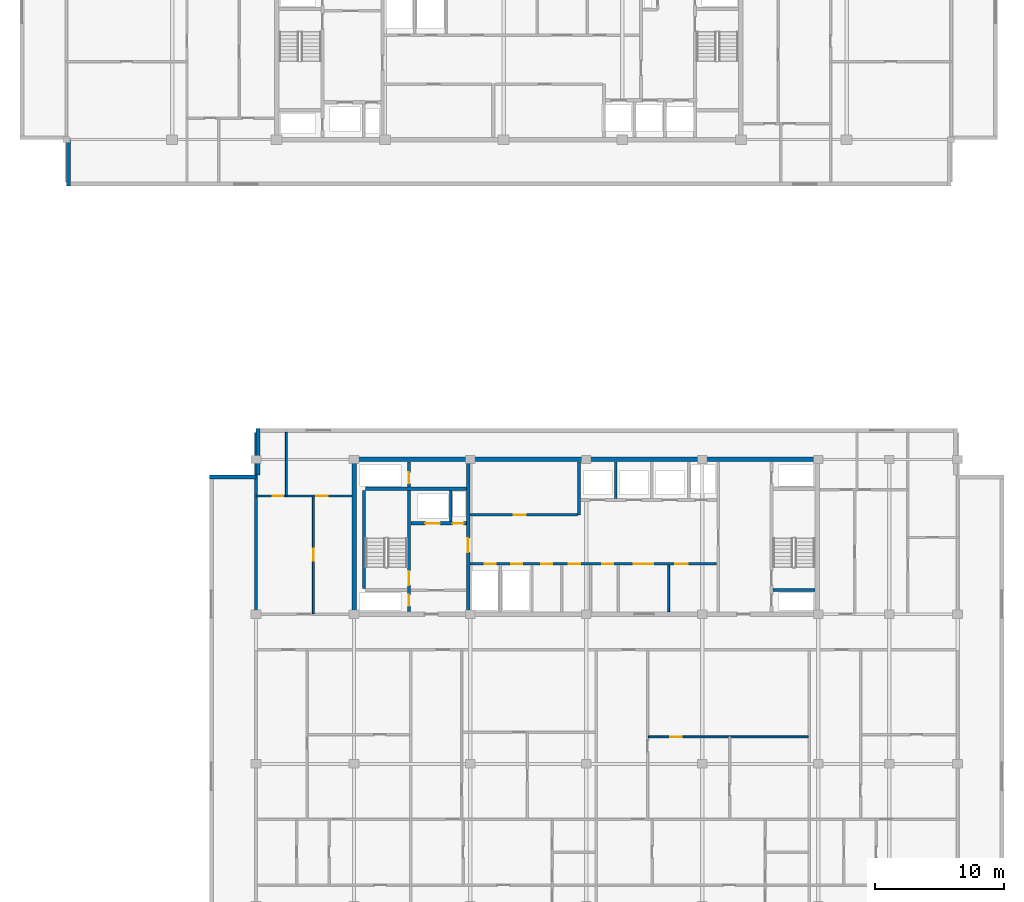
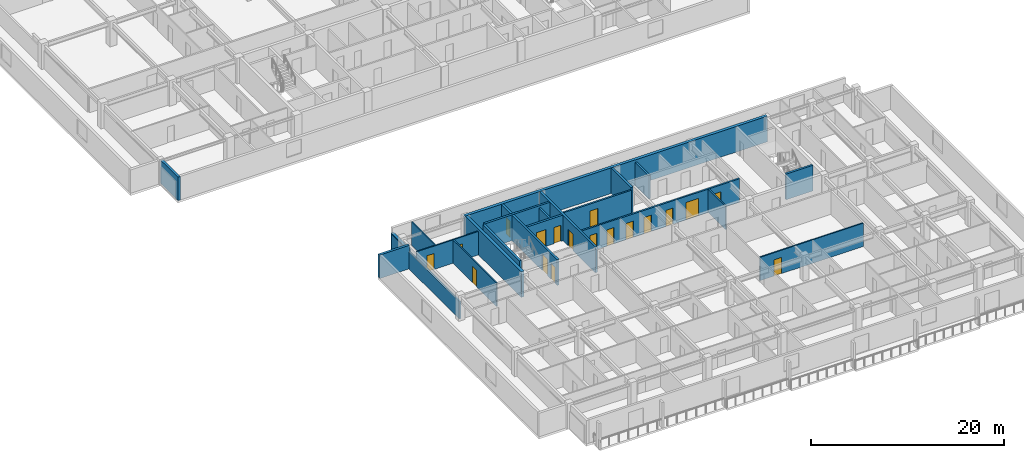
# One storey, part 6 of 21: 22 walls, 18 doors, 18 openings.
"""IFC4 building model written with IfcOpenShell, lengths in metres."""

from ifc_helpers import new_model, si_unit, direction, frame, frame_2d, origin, place, context, subcontext, project, spatial, rectangle, extrude, material, layer, layer_set, type_object, element, fill, save


model = new_model("IFC4")

# Units and contexts
model_context = context("Model", 3, precision=1e-05, world=origin(), true_north=direction((0.0, 1.0)))
body_context = subcontext(model_context, "Body", "Model", "MODEL_VIEW")
ifc_project = project(units=[si_unit("LENGTHUNIT", "METRE"), si_unit("AREAUNIT", "SQUARE_METRE"), si_unit("VOLUMEUNIT", "CUBIC_METRE"), si_unit("PLANEANGLEUNIT", "RADIAN"), si_unit("MASSUNIT", "GRAM", prefix="KILO")], contexts=[model_context])

# Site, building, storey
site_placement = place(None, origin())
site = spatial("IfcSite", under=ifc_project, at=site_placement, CompositionType="ELEMENT")
building_placement = place(site_placement, origin())
building = spatial("IfcBuilding", under=site, at=building_placement, Name="Korimba Cascade Residences", CompositionType="ELEMENT")
storey_placement = place(building_placement, frame((0.0, 0.0, 188.10009765625)))
storey = spatial("IfcBuildingStorey", under=building, at=storey_placement, Name="L54", CompositionType="ELEMENT", Elevation=188.10009765625)

# Walls
ifc_material_1 = material(Name="Precast concrete C40/50", Category="concrete")
ifc_layer_1 = layer(ifc_material_1, 0.300048828125)
ifc_layer_set_1 = layer_set([ifc_layer_1], Name="Precast concrete C40/50")
wall_type_1 = type_object("IfcWallType", Name="EW-STONE-300", PredefinedType="STANDARD", material=ifc_layer_set_1)
wall_1_placement = place(storey_placement, frame((59.949951171875, 55.199951171875, 0.0), z_axis=(0.0, 0.0, 1.0), x_axis=(0.0, -1.0, 0.0)))
element("IfcWall", 1, at=wall_1_placement, inside=storey, type_object=wall_type_1, Name="L54 T1 Perimeter Stone Wall E11", PredefinedType="STANDARD", context=body_context, shape_type="SweptSolid", body=[
    extrude(rectangle(XDim=3.599853515625, YDim=0.300048828125, at=frame_2d((1.7998046875, 0.0))), origin(), (0.0, 0.0, 1.0), 2.969970703125),
])
wall_2_placement = place(storey_placement, frame((74.64990234375, 32.800048828125, 0.0), z_axis=(0.0, 0.0, 1.0), x_axis=(0.0, -1.0, 0.0)))
element("IfcWall", 2, at=wall_2_placement, inside=storey, type_object=wall_type_1, Name="L54 T2 Perimeter Stone Wall E07", PredefinedType="STANDARD", context=body_context, shape_type="SweptSolid", body=[
    extrude(rectangle(XDim=3.60009765625, YDim=0.300048828125, at=frame_2d((1.800048828125, 0.0))), origin(), (0.0, 0.0, 1.0), 2.2001953125),
])
wall_3_placement = place(storey_placement, frame((74.5, 29.050048828125, 0.0), z_axis=(0.0, 0.0, 1.0), x_axis=(-1.0, 0.0, 0.0)))
element("IfcWall", 3, at=wall_3_placement, inside=storey, type_object=wall_type_1, Name="L54 T2 Perimeter Stone Wall E08", PredefinedType="STANDARD", context=body_context, shape_type="SweptSolid", body=[
    extrude(rectangle(XDim=3.60009765625, YDim=0.300048828125, at=frame_2d((1.800048828125, 0.0))), origin(), (0.0, 0.0, 1.0), 2.969970703125),
])
ifc_material_2 = material(Name="Concrete C65/80", Category="concrete")
ifc_layer_2 = layer(ifc_material_2, 0.35009765625)
ifc_layer_set_2 = layer_set([ifc_layer_2], Name="Concrete C65/80")
wall_type_2 = type_object("IfcWallType", Name="WAL-CORE-350", PredefinedType="SHEAR", material=ifc_layer_set_2)
wall_4_placement = place(storey_placement, frame((81.925048828125, 30.39990234375, 0.0), z_axis=(0.0, 0.0, 1.0), x_axis=(1.0, 0.0, 0.0)))
element("IfcWall", 4, at=wall_4_placement, inside=storey, type_object=wall_type_2, Name="L54 Core Shear Wall CW-L54-T2-N", PredefinedType="SHEAR", context=body_context, shape_type="SweptSolid", body=[
    extrude(rectangle(XDim=36.264892578125, YDim=0.35009765625, at=frame_2d((18.13232421875, 0.0))), origin(), (0.0, 0.0, 1.0), 3.25),
])
wall_5_placement = place(storey_placement, frame((82.10009765625, 18.574951171875, 0.0), z_axis=(0.0, 0.0, 1.0), x_axis=(0.0, 1.0, 0.0)))
element("IfcWall", 5, at=wall_5_placement, inside=storey, type_object=wall_type_2, Name="L54 Core Shear Wall CW-L54-T2-W", PredefinedType="SHEAR", context=body_context, shape_type="SweptSolid", body=[
    extrude(rectangle(XDim=11.650146484375, YDim=0.35009765625, at=frame_2d((5.8251953125, 0.0))), origin(), (0.0, 0.0, 1.0), 3.25),
])
ifc_layer_3 = layer(ifc_material_1, 0.199951171875)
ifc_layer_set_3 = layer_set([ifc_layer_3], Name="Precast concrete C40/50")
wall_type_3 = type_object("IfcWallType", Name="WAL-IT-200", PredefinedType="PARTITIONING", material=ifc_layer_set_3)
wall_6_placement = place(storey_placement, frame((74.5, 18.39990234375, 0.0), z_axis=(0.0, 0.0, 1.0), x_axis=(0.0, 1.0, 0.0)))
element("IfcWall", 6, at=wall_6_placement, inside=storey, type_object=wall_type_3, Name="L54 Partition Wall WAL-L54-T2-FW-WL", PredefinedType="PARTITIONING", context=body_context, shape_type="SweptSolid", body=[
    extrude(rectangle(XDim=14.10009765625, YDim=0.199951171875, at=frame_2d((7.050048828125, 0.0))), origin(), (0.0, 0.0, 1.0), 2.2001953125),
])
ifc_material_3 = material(Name="Insulated Acoustic Stud Partition", Category="gypsum")
ifc_layer_4 = layer(ifc_material_3, 0.14990234375)
ifc_layer_set_4 = layer_set([ifc_layer_4], Name="Insulated Acoustic Stud Partition")
wall_type_4 = type_object("IfcWallType", Name="WAL-PART-150", PredefinedType="PARTITIONING", material=ifc_layer_set_4)
wall_7_placement = place(storey_placement, frame((106.5, 18.60009765625, 0.0), z_axis=(0.0, 0.0, 1.0), x_axis=(0.0, 1.0, 0.0)))
element("IfcWall", 7, at=wall_7_placement, inside=storey, type_object=wall_type_4, Name="L54 Partition Wall CW-L54-T2-THE", PredefinedType="PARTITIONING", context=body_context, shape_type="SweptSolid", body=[
    extrude(rectangle(XDim=3.599853515625, YDim=0.14990234375, at=frame_2d((1.7998046875, 0.0))), origin(), (0.0, 0.0, 1.0), 2.969970703125),
])

# Wall, opening, door
wall_8_placement = place(storey_placement, frame((78.945068359375, 18.449951171875, 0.0), z_axis=(0.0, 0.0, 1.0), x_axis=(0.0, 1.0, 0.0)))
wall_8 = element("IfcWall", 8, at=wall_8_placement, inside=storey, type_object=wall_type_4, Name="L54 Partition Wall WAL-L54-T2-FW-VS", PredefinedType="PARTITIONING", context=body_context, shape_type="SweptSolid", body=[
    extrude(rectangle(XDim=9.1201171875, YDim=0.14990234375, at=frame_2d((4.56005859375, 0.0))), origin(), (0.0, 0.0, 1.0), 2.969970703125),
])
opening_1_placement = place(wall_8_placement, frame((4.10009765625, 0.0, 0.0)))
opening_1 = element("IfcOpeningElement", 9, at=opening_1_placement, cuts=wall_8, Name="Opening D-IN1", PredefinedType="OPENING", context=body_context, shape_type="SweptSolid", body=[
    extrude(rectangle(XDim=0.919921875, YDim=2.080078125, at=frame_2d((0.4599609375, 1.0400390625))), frame((0.0, 0.0849609375, 0.0), z_axis=(0.0, -1.0, 0.0), x_axis=(1.0, 0.0, 0.0)), (0.0, 0.0, 1.0), 0.169921875),
])
ifc_material_4 = material(Name="Acoustic Timber Living Door", Category="wood")
door_type_1 = type_object("IfcDoorType", Name="DR-INT-920", OperationType="NOTDEFINED", PredefinedType="DOOR", material=ifc_material_4)
door_1_placement = place(opening_1_placement, origin())
door_1 = element("IfcDoor", 10, at=door_1_placement, inside=storey, type_object=door_type_1, Name="L54-T2-FW Living Door", OperationType="SINGLE_SWING_RIGHT", OverallHeight=2.080078125, OverallWidth=0.919921875, PredefinedType="DOOR", context=body_context, shape_type="SweptSolid", body=[
    extrude(rectangle(XDim=0.919921875, YDim=2.080078125, at=frame_2d((0.4599609375, 1.0400390625))), frame((0.0, 0.02490234375, 0.0), z_axis=(0.0, -1.0, 0.0), x_axis=(1.0, 0.0, 0.0)), (0.0, 0.0, 1.0), 0.050048828125),
])
fill(opening_1, door_1)

# Wall
wall_9_placement = place(storey_placement, frame((76.85009765625, 27.570068359375, 0.0), z_axis=(0.0, 0.0, 1.0), x_axis=(0.0, 1.0, 0.0)))
element("IfcWall", 11, at=wall_9_placement, inside=storey, type_object=wall_type_4, Name="L54 Partition Wall WAL-L54-T2-FW-VN", PredefinedType="PARTITIONING", context=body_context, shape_type="SweptSolid", body=[
    extrude(rectangle(XDim=4.929931640625, YDim=0.14990234375, at=frame_2d((2.46484375, 0.0))), origin(), (0.0, 0.0, 1.0), 2.969970703125),
])

# Wall, openings, doors
wall_10_placement = place(storey_placement, frame((74.52001953125, 27.570068359375, 0.0), z_axis=(0.0, 0.0, 1.0), x_axis=(1.0, 0.0, 0.0)))
wall_10 = element("IfcWall", 12, at=wall_10_placement, inside=storey, type_object=wall_type_4, Name="L54 Partition Wall WAL-L54-T2-FW-H", PredefinedType="PARTITIONING", context=body_context, shape_type="SweptSolid", body=[
    extrude(rectangle(XDim=7.409912109375, YDim=0.14990234375, at=frame_2d((3.705078125, 0.0))), origin(), (0.0, 0.0, 1.0), 2.969970703125),
])
opening_2_placement = place(wall_10_placement, frame((1.266357421875, 0.0, 0.0)))
opening_2 = element("IfcOpeningElement", 13, at=opening_2_placement, cuts=wall_10, Name="Opening D-BT1", PredefinedType="OPENING", context=body_context, shape_type="SweptSolid", body=[
    extrude(rectangle(XDim=0.840087890625, YDim=2.0400390625, at=frame_2d((0.419921875, 1.02001953125))), frame((0.0, 0.0849609375, 0.0), z_axis=(0.0, -1.0, 0.0), x_axis=(1.0, 0.0, 0.0)), (0.0, 0.0, 1.0), 0.169921875),
])
opening_3_placement = place(wall_10_placement, frame((4.64501953125, 0.0, 0.0)))
opening_3 = element("IfcOpeningElement", 14, at=opening_3_placement, cuts=wall_10, Name="Opening D-IN2", PredefinedType="OPENING", context=body_context, shape_type="SweptSolid", body=[
    extrude(rectangle(XDim=0.8798828125, YDim=2.06005859375, at=frame_2d((0.43994140625, 1.030029296875))), frame((0.0, 0.0849609375, 0.0), z_axis=(0.0, -1.0, 0.0), x_axis=(1.0, 0.0, 0.0)), (0.0, 0.0, 1.0), 0.169921875),
])
ifc_material_5 = material(Name="Moisture-Resistant Bathroom Timber Door", Category="wood")
door_type_2 = type_object("IfcDoorType", Name="DR-INT-850", OperationType="NOTDEFINED", PredefinedType="DOOR", material=ifc_material_5)
door_2_placement = place(opening_2_placement, origin())
door_2 = element("IfcDoor", 15, at=door_2_placement, inside=storey, type_object=door_type_2, Name="L54-T2-FW Bathroom Door", OperationType="SINGLE_SWING_LEFT", OverallHeight=2.0400390625, OverallWidth=0.840087890625, PredefinedType="DOOR", context=body_context, shape_type="SweptSolid", body=[
    extrude(rectangle(XDim=0.840087890625, YDim=2.0400390625, at=frame_2d((0.419921875, 1.02001953125))), frame((0.0, 0.02490234375, 0.0), z_axis=(0.0, -1.0, 0.0), x_axis=(1.0, 0.0, 0.0)), (0.0, 0.0, 1.0), 0.050048828125),
])
fill(opening_2, door_2)
ifc_material_6 = material(Name="Acoustic Timber Bedroom Door", Category="wood")
door_type_3 = type_object("IfcDoorType", Name="DR-INT-880", OperationType="NOTDEFINED", PredefinedType="DOOR", material=ifc_material_6)
door_3_placement = place(opening_3_placement, origin())
door_3 = element("IfcDoor", 16, at=door_3_placement, inside=storey, type_object=door_type_3, Name="L54-T2-FW Bedroom Door", OperationType="SINGLE_SWING_RIGHT", OverallHeight=2.06005859375, OverallWidth=0.8798828125, PredefinedType="DOOR", context=body_context, shape_type="SweptSolid", body=[
    extrude(rectangle(XDim=0.8798828125, YDim=2.06005859375, at=frame_2d((0.43994140625, 1.030029296875))), frame((0.0, 0.02490234375, 0.0), z_axis=(0.0, -1.0, 0.0), x_axis=(1.0, 0.0, 0.0)), (0.0, 0.0, 1.0), 0.050048828125),
])
fill(opening_3, door_3)

# Wall, opening, door
wall_11_placement = place(storey_placement, frame((104.921630859375, 8.885009765625, 0.0), z_axis=(0.0, 0.0, 1.0), x_axis=(1.0, 0.0, 0.0)))
wall_11 = element("IfcWall", 17, at=wall_11_placement, inside=storey, type_object=wall_type_4, Name="L54 Partition Wall WAL-L54-T2-U03-FMH", PredefinedType="PARTITIONING", context=body_context, shape_type="SweptSolid", body=[
    extrude(rectangle(XDim=12.40673828125, YDim=0.14990234375, at=frame_2d((6.203369140625, 0.0))), origin(), (0.0, 0.0, 1.0), 2.969970703125),
])
opening_4_placement = place(wall_11_placement, frame((1.708984375, 0.0, 0.0)))
opening_4 = element("IfcOpeningElement", 18, at=opening_4_placement, cuts=wall_11, Name="Opening D-IN2", PredefinedType="OPENING", context=body_context, shape_type="SweptSolid", body=[
    extrude(rectangle(XDim=0.8798828125, YDim=2.06005859375, at=frame_2d((0.43994140625, 1.030029296875))), frame((0.0, 0.0849609375, 0.0), z_axis=(0.0, -1.0, 0.0), x_axis=(1.0, 0.0, 0.0)), (0.0, 0.0, 1.0), 0.169921875),
])
door_4_placement = place(opening_4_placement, origin())
door_4 = element("IfcDoor", 19, at=door_4_placement, inside=storey, type_object=door_type_3, Name="L54-T2-U03 Library Salon Door", OperationType="SINGLE_SWING_RIGHT", OverallHeight=2.06005859375, OverallWidth=0.8798828125, PredefinedType="DOOR", context=body_context, shape_type="SweptSolid", body=[
    extrude(rectangle(XDim=0.8798828125, YDim=2.06005859375, at=frame_2d((0.43994140625, 1.030029296875))), frame((0.0, 0.02490234375, 0.0), z_axis=(0.0, -1.0, 0.0), x_axis=(1.0, 0.0, 0.0)), (0.0, 0.0, 1.0), 0.050048828125),
])
fill(opening_4, door_4)

# Wall
ifc_material_7 = material(Name="Concrete C40/50", Category="concrete")
ifc_layer_5 = layer(ifc_material_7, 0.199951171875)
ifc_layer_set_5 = layer_set([ifc_layer_5], Name="Concrete C40/50")
wall_type_5 = type_object("IfcWallType", Name="WAL-PART-200", PredefinedType="PARTITIONING", material=ifc_layer_set_5)
wall_12_placement = place(storey_placement, frame((89.60009765625, 25.580078125, 0.0), z_axis=(0.0, 0.0, 1.0), x_axis=(0.0, 1.0, 0.0)))
element("IfcWall", 20, at=wall_12_placement, inside=storey, type_object=wall_type_5, Name="L54 Partition Wall CW-L54-T2-FFLDIV", PredefinedType="PARTITIONING", context=body_context, shape_type="SweptSolid", body=[
    extrude(rectangle(XDim=2.419921875, YDim=0.199951171875, at=frame_2d((1.2099609375, 0.0))), origin(), (0.0, 0.0, 1.0), 2.969970703125),
])

# Wall, opening, door
wall_13_placement = place(storey_placement, frame((91.080078125, 26.10009765625, 0.0), z_axis=(0.0, 0.0, 1.0), x_axis=(1.0, 0.0, 0.0)))
wall_13 = element("IfcWall", 21, at=wall_13_placement, inside=storey, type_object=wall_type_5, Name="L54 Partition Wall CW-L54-T2-B1RS", PredefinedType="PARTITIONING", context=body_context, shape_type="SweptSolid", body=[
    extrude(rectangle(XDim=8.33984375, YDim=0.199951171875, at=frame_2d((4.169921875, 0.0))), origin(), (0.0, 0.0, 1.0), 2.969970703125),
])
opening_5_placement = place(wall_13_placement, frame((3.39990234375, 0.0, 0.0)))
opening_5 = element("IfcOpeningElement", 22, at=opening_5_placement, cuts=wall_13, Name="Opening D-ST1", PredefinedType="OPENING", context=body_context, shape_type="SweptSolid", body=[
    extrude(rectangle(XDim=0.919921875, YDim=2.080078125, at=frame_2d((0.4599609375, 1.0400390625))), frame((0.0, 0.10986328125, 0.0), z_axis=(0.0, -1.0, 0.0), x_axis=(1.0, 0.0, 0.0)), (0.0, 0.0, 1.0), 0.219970703125),
])
ifc_material_8 = material(Name="Fire-Rated Core Store Door", Category="wood")
door_type_4 = type_object("IfcDoorType", Name="DR-FD60-920", OperationType="NOTDEFINED", PredefinedType="DOOR", material=ifc_material_8)
door_5_placement = place(opening_5_placement, origin())
door_5 = element("IfcDoor", 23, at=door_5_placement, inside=storey, type_object=door_type_4, Name="L54 T2 Resident Storage Door", OperationType="SINGLE_SWING_RIGHT", OverallHeight=2.080078125, OverallWidth=0.919921875, PredefinedType="DOOR", context=body_context, shape_type="SweptSolid", body=[
    extrude(rectangle(XDim=0.919921875, YDim=2.080078125, at=frame_2d((0.4599609375, 1.0400390625))), frame((0.0, 0.02490234375, 0.0), z_axis=(0.0, -1.0, 0.0), x_axis=(1.0, 0.0, 0.0)), (0.0, 0.0, 1.0), 0.050048828125),
])
fill(opening_5, door_5)

# Wall
wall_14_placement = place(storey_placement, frame((102.39990234375, 27.3798828125, 0.0), z_axis=(0.0, 0.0, 1.0), x_axis=(0.0, 1.0, 0.0)))
element("IfcWall", 24, at=wall_14_placement, inside=storey, type_object=wall_type_5, Name="L54 Partition Wall CW-L54-T2-B2D1", PredefinedType="PARTITIONING", context=body_context, shape_type="SweptSolid", body=[
    extrude(rectangle(XDim=2.820068359375, YDim=0.199951171875, at=frame_2d((1.41015625, 0.0))), origin(), (0.0, 0.0, 1.0), 2.969970703125),
])

# Wall, openings, doors
wall_15_placement = place(storey_placement, frame((91.080078125, 22.300048828125, 0.0), z_axis=(0.0, 0.0, 1.0), x_axis=(1.0, 0.0, 0.0)))
wall_15 = element("IfcWall", 25, at=wall_15_placement, inside=storey, type_object=wall_type_5, Name="L54 Partition Wall CW-L54-T2-SRVROW", PredefinedType="PARTITIONING", context=body_context, shape_type="SweptSolid", body=[
    extrude(rectangle(XDim=19.139892578125, YDim=0.199951171875, at=frame_2d((9.56982421875, 0.0))), origin(), (0.0, 0.0, 1.0), 2.969970703125),
])
opening_6_placement = place(wall_15_placement, frame((1.14990234375, 0.0, 0.0)))
opening_6 = element("IfcOpeningElement", 26, at=opening_6_placement, cuts=wall_15, Name="Opening D-RS1", PredefinedType="OPENING", context=body_context, shape_type="SweptSolid", body=[
    extrude(rectangle(XDim=0.85009765625, YDim=2.050048828125, at=frame_2d((0.425048828125, 1.02490234375))), frame((0.0, 0.10986328125, 0.0), z_axis=(0.0, -1.0, 0.0), x_axis=(1.0, 0.0, 0.0)), (0.0, 0.0, 1.0), 0.219970703125),
])
opening_7_placement = place(wall_15_placement, frame((3.199951171875, 0.0, 0.0)))
opening_7 = element("IfcOpeningElement", 27, at=opening_7_placement, cuts=wall_15, Name="Opening D-RS1", PredefinedType="OPENING", context=body_context, shape_type="SweptSolid", body=[
    extrude(rectangle(XDim=0.85009765625, YDim=2.050048828125, at=frame_2d((0.425048828125, 1.02490234375))), frame((0.0, 0.10986328125, 0.0), z_axis=(0.0, -1.0, 0.0), x_axis=(1.0, 0.0, 0.0)), (0.0, 0.0, 1.0), 0.219970703125),
])
opening_8_placement = place(wall_15_placement, frame((12.719970703125, 0.0, 0.0)))
opening_8 = element("IfcOpeningElement", 28, at=opening_8_placement, cuts=wall_15, Name="Opening D-FD8", PredefinedType="OPENING", context=body_context, shape_type="SweptSolid", body=[
    extrude(rectangle(XDim=1.5, YDim=2.199951171875, at=frame_2d((0.75, 1.10009765625))), frame((0.0, 0.10986328125, 0.0), z_axis=(0.0, -1.0, 0.0), x_axis=(1.0, 0.0, 0.0)), (0.0, 0.0, 1.0), 0.219970703125),
])
opening_9_placement = place(wall_15_placement, frame((5.52001953125, 0.0, 0.0)))
opening_9 = element("IfcOpeningElement", 29, at=opening_9_placement, cuts=wall_15, Name="Opening D-IN2", PredefinedType="OPENING", context=body_context, shape_type="SweptSolid", body=[
    extrude(rectangle(XDim=0.8798828125, YDim=2.06005859375, at=frame_2d((0.43994140625, 1.030029296875))), frame((0.0, 0.10986328125, 0.0), z_axis=(0.0, -1.0, 0.0), x_axis=(1.0, 0.0, 0.0)), (0.0, 0.0, 1.0), 0.219970703125),
])
opening_10_placement = place(wall_15_placement, frame((7.669921875, 0.0, 0.0)))
opening_10 = element("IfcOpeningElement", 30, at=opening_10_placement, cuts=wall_15, Name="Opening D-IN2", PredefinedType="OPENING", context=body_context, shape_type="SweptSolid", body=[
    extrude(rectangle(XDim=0.8798828125, YDim=2.06005859375, at=frame_2d((0.43994140625, 1.030029296875))), frame((0.0, 0.10986328125, 0.0), z_axis=(0.0, -1.0, 0.0), x_axis=(1.0, 0.0, 0.0)), (0.0, 0.0, 1.0), 0.219970703125),
])
opening_11_placement = place(wall_15_placement, frame((10.27001953125, 0.0, 0.0)))
opening_11 = element("IfcOpeningElement", 31, at=opening_11_placement, cuts=wall_15, Name="Opening D-RS1", PredefinedType="OPENING", context=body_context, shape_type="SweptSolid", body=[
    extrude(rectangle(XDim=0.85009765625, YDim=2.050048828125, at=frame_2d((0.425048828125, 1.02490234375))), frame((0.0, 0.10986328125, 0.0), z_axis=(0.0, -1.0, 0.0), x_axis=(1.0, 0.0, 0.0)), (0.0, 0.0, 1.0), 0.219970703125),
])
opening_12_placement = place(wall_15_placement, frame((15.919921875, 0.0, 0.0)))
opening_12 = element("IfcOpeningElement", 32, at=opening_12_placement, cuts=wall_15, Name="Opening D-AC1", PredefinedType="OPENING", context=body_context, shape_type="SweptSolid", body=[
    extrude(rectangle(XDim=0.9599609375, YDim=2.10009765625, at=frame_2d((0.47998046875, 1.050048828125))), frame((0.0, 0.10986328125, 0.0), z_axis=(0.0, -1.0, 0.0), x_axis=(1.0, 0.0, 0.0)), (0.0, 0.0, 1.0), 0.219970703125),
])
ifc_material_9 = material(Name="Accessible Acoustic Timber WC Door", Category="wood")
door_type_5 = type_object("IfcDoorType", Name="DR-ACC-950", OperationType="NOTDEFINED", PredefinedType="DOOR", material=ifc_material_9)
door_6_placement = place(opening_12_placement, origin())
door_6 = element("IfcDoor", 33, at=door_6_placement, inside=storey, type_object=door_type_5, Name="L54 T2 Accessible Staff WC Door", OperationType="SINGLE_SWING_LEFT", OverallHeight=2.10009765625, OverallWidth=0.9599609375, PredefinedType="DOOR", context=body_context, shape_type="SweptSolid", body=[
    extrude(rectangle(XDim=0.9599609375, YDim=2.10009765625, at=frame_2d((0.47998046875, 1.050048828125))), frame((0.0, 0.02490234375, 0.0), z_axis=(0.0, -1.0, 0.0), x_axis=(1.0, 0.0, 0.0)), (0.0, 0.0, 1.0), 0.050048828125),
])
fill(opening_12, door_6)
ifc_material_10 = material(Name="Fire-Rated Steel Riser Access Door", Category="steel")
door_type_6 = type_object("IfcDoorType", Name="DR-FD60-850", OperationType="NOTDEFINED", PredefinedType="DOOR", material=ifc_material_10)
door_7_placement = place(opening_6_placement, origin())
door_7 = element("IfcDoor", 34, at=door_7_placement, inside=storey, type_object=door_type_6, Name="L54 T2 Electrical Riser Door", OperationType="SINGLE_SWING_RIGHT", OverallHeight=2.050048828125, OverallWidth=0.85009765625, PredefinedType="DOOR", context=body_context, shape_type="SweptSolid", body=[
    extrude(rectangle(XDim=0.85009765625, YDim=2.050048828125, at=frame_2d((0.425048828125, 1.02490234375))), frame((0.0, 0.02490234375, 0.0), z_axis=(0.0, -1.0, 0.0), x_axis=(1.0, 0.0, 0.0)), (0.0, 0.0, 1.0), 0.050048828125),
])
fill(opening_6, door_7)
door_8_placement = place(opening_7_placement, origin())
door_8 = element("IfcDoor", 35, at=door_8_placement, inside=storey, type_object=door_type_6, Name="L54 T2 Plumbing Riser Door", OperationType="SINGLE_SWING_LEFT", OverallHeight=2.050048828125, OverallWidth=0.85009765625, PredefinedType="DOOR", context=body_context, shape_type="SweptSolid", body=[
    extrude(rectangle(XDim=0.85009765625, YDim=2.050048828125, at=frame_2d((0.425048828125, 1.02490234375))), frame((0.0, 0.02490234375, 0.0), z_axis=(0.0, -1.0, 0.0), x_axis=(1.0, 0.0, 0.0)), (0.0, 0.0, 1.0), 0.050048828125),
])
fill(opening_7, door_8)
door_9_placement = place(opening_11_placement, origin())
door_9 = element("IfcDoor", 36, at=door_9_placement, inside=storey, type_object=door_type_6, Name="L54 T2 IT Room Door", OperationType="SINGLE_SWING_RIGHT", OverallHeight=2.050048828125, OverallWidth=0.85009765625, PredefinedType="DOOR", context=body_context, shape_type="SweptSolid", body=[
    extrude(rectangle(XDim=0.85009765625, YDim=2.050048828125, at=frame_2d((0.425048828125, 1.02490234375))), frame((0.0, 0.02490234375, 0.0), z_axis=(0.0, -1.0, 0.0), x_axis=(1.0, 0.0, 0.0)), (0.0, 0.0, 1.0), 0.050048828125),
])
fill(opening_11, door_9)
ifc_material_11 = material(Name="Fire-Rated Glazed Lift Lobby Double Door", Category="glass")
door_type_7 = type_object("IfcDoorType", Name="DR-FD90-1500", OperationType="NOTDEFINED", PredefinedType="DOOR", material=ifc_material_11)
door_10_placement = place(opening_8_placement, origin())
door_10 = element("IfcDoor", 37, at=door_10_placement, inside=storey, type_object=door_type_7, Name="L54 T2 Lift Lobby Foyer Door", OperationType="DOUBLE_DOOR_SINGLE_SWING", OverallHeight=2.199951171875, OverallWidth=1.5, PredefinedType="DOOR", context=body_context, shape_type="SweptSolid", body=[
    extrude(rectangle(XDim=1.5, YDim=2.199951171875, at=frame_2d((0.75, 1.10009765625))), frame((0.0, 0.02490234375, 0.0), z_axis=(0.0, -1.0, 0.0), x_axis=(1.0, 0.0, 0.0)), (0.0, 0.0, 1.0), 0.050048828125),
])
fill(opening_8, door_10)
door_11_placement = place(opening_9_placement, origin())
door_11 = element("IfcDoor", 38, at=door_11_placement, inside=storey, type_object=door_type_3, Name="L54 T2 Cleaners Door", OperationType="SINGLE_SWING_RIGHT", OverallHeight=2.06005859375, OverallWidth=0.8798828125, PredefinedType="DOOR", context=body_context, shape_type="SweptSolid", body=[
    extrude(rectangle(XDim=0.8798828125, YDim=2.06005859375, at=frame_2d((0.43994140625, 1.030029296875))), frame((0.0, 0.02490234375, 0.0), z_axis=(0.0, -1.0, 0.0), x_axis=(1.0, 0.0, 0.0)), (0.0, 0.0, 1.0), 0.050048828125),
])
fill(opening_9, door_11)
door_12_placement = place(opening_10_placement, origin())
door_12 = element("IfcDoor", 39, at=door_12_placement, inside=storey, type_object=door_type_3, Name="L54 T2 Pantry Door", OperationType="SINGLE_SWING_LEFT", OverallHeight=2.06005859375, OverallWidth=0.8798828125, PredefinedType="DOOR", context=body_context, shape_type="SweptSolid", body=[
    extrude(rectangle(XDim=0.8798828125, YDim=2.06005859375, at=frame_2d((0.43994140625, 1.030029296875))), frame((0.0, 0.02490234375, 0.0), z_axis=(0.0, -1.0, 0.0), x_axis=(1.0, 0.0, 0.0)), (0.0, 0.0, 1.0), 0.050048828125),
])
fill(opening_10, door_12)

# Wall
ifc_material_12 = material(Name="Concrete C50/60", Category="concrete")
ifc_layer_6 = layer(ifc_material_12, 0.25)
ifc_layer_set_6 = layer_set([ifc_layer_6], Name="Concrete C50/60")
wall_type_6 = type_object("IfcWallType", Name="WAL-SHAFT-250", PredefinedType="SHEAR", material=ifc_layer_set_6)
wall_16_placement = place(storey_placement, frame((82.875, 20.39990234375, 0.0), z_axis=(0.0, 0.0, 1.0), x_axis=(0.0, 1.0, 0.0)))
element("IfcWall", 40, at=wall_16_placement, inside=storey, type_object=wall_type_6, Name="L54 Core Shear Wall CW-L54-T2-STE1W", PredefinedType="SHEAR", context=body_context, shape_type="SweptSolid", body=[
    extrude(rectangle(XDim=7.60009765625, YDim=0.25, at=frame_2d((3.800048828125, 0.0))), origin(), (0.0, 0.0, 1.0), 3.25),
])

# Wall, openings, doors
wall_17_placement = place(storey_placement, frame((86.364990234375, 18.60009765625, 0.0), z_axis=(0.0, 0.0, 1.0), x_axis=(0.0, 1.0, 0.0)))
wall_17 = element("IfcWall", 41, at=wall_17_placement, inside=storey, type_object=wall_type_6, Name="L54 Core Shear Wall CW-L54-T2-STE1E", PredefinedType="SHEAR", context=body_context, shape_type="SweptSolid", body=[
    extrude(rectangle(XDim=11.599853515625, YDim=0.25, at=frame_2d((5.7998046875, 0.0))), origin(), (0.0, 0.0, 1.0), 3.25),
])
opening_13_placement = place(wall_17_placement, frame((0.449951171875, 0.0, 0.0)))
opening_13 = element("IfcOpeningElement", 42, at=opening_13_placement, cuts=wall_17, Name="Opening D-RS1", PredefinedType="OPENING", context=body_context, shape_type="SweptSolid", body=[
    extrude(rectangle(XDim=0.85009765625, YDim=2.050048828125, at=frame_2d((0.425048828125, 1.02490234375))), frame((0.0, 0.135009765625, 0.0), z_axis=(0.0, -1.0, 0.0), x_axis=(1.0, 0.0, 0.0)), (0.0, 0.0, 1.0), 0.27001953125),
])
opening_14_placement = place(wall_17_placement, frame((2.050048828125, 0.0, 0.0)))
opening_14 = element("IfcOpeningElement", 43, at=opening_14_placement, cuts=wall_17, Name="Opening D-FD1", PredefinedType="OPENING", context=body_context, shape_type="SweptSolid", body=[
    extrude(rectangle(XDim=1.10009765625, YDim=2.10009765625, at=frame_2d((0.550048828125, 1.050048828125))), frame((0.0, 0.135009765625, 0.0), z_axis=(0.0, -1.0, 0.0), x_axis=(1.0, 0.0, 0.0)), (0.0, 0.0, 1.0), 0.27001953125),
])
opening_15_placement = place(wall_17_placement, frame((9.949951171875, 0.0, 0.0)))
opening_15 = element("IfcOpeningElement", 44, at=opening_15_placement, cuts=wall_17, Name="Opening D-RS1", PredefinedType="OPENING", context=body_context, shape_type="SweptSolid", body=[
    extrude(rectangle(XDim=0.85009765625, YDim=2.050048828125, at=frame_2d((0.425048828125, 1.02490234375))), frame((0.0, 0.135009765625, 0.0), z_axis=(0.0, -1.0, 0.0), x_axis=(1.0, 0.0, 0.0)), (0.0, 0.0, 1.0), 0.27001953125),
])
ifc_material_13 = material(Name="Fire-Rated Steel Core Door", Category="steel")
door_type_8 = type_object("IfcDoorType", Name="DR-FD120-1100", OperationType="NOTDEFINED", PredefinedType="DOOR", material=ifc_material_13)
door_13_placement = place(opening_14_placement, origin())
door_13 = element("IfcDoor", 45, at=door_13_placement, inside=storey, type_object=door_type_8, Name="L54 Fire Stair ST-E1 Door", OperationType="SINGLE_SWING_LEFT", OverallHeight=2.10009765625, OverallWidth=1.10009765625, PredefinedType="DOOR", context=body_context, shape_type="SweptSolid", body=[
    extrude(rectangle(XDim=1.10009765625, YDim=2.10009765625, at=frame_2d((0.550048828125, 1.050048828125))), frame((0.0, 0.02490234375, 0.0), z_axis=(0.0, -1.0, 0.0), x_axis=(1.0, 0.0, 0.0)), (0.0, 0.0, 1.0), 0.050048828125),
])
fill(opening_14, door_13)
door_14_placement = place(opening_13_placement, origin())
door_14 = element("IfcDoor", 46, at=door_14_placement, inside=storey, type_object=door_type_6, Name="L54 T2 Hydrant Riser Door", OperationType="SINGLE_SWING_RIGHT", OverallHeight=2.050048828125, OverallWidth=0.85009765625, PredefinedType="DOOR", context=body_context, shape_type="SweptSolid", body=[
    extrude(rectangle(XDim=0.85009765625, YDim=2.050048828125, at=frame_2d((0.425048828125, 1.02490234375))), frame((0.0, 0.02490234375, 0.0), z_axis=(0.0, -1.0, 0.0), x_axis=(1.0, 0.0, 0.0)), (0.0, 0.0, 1.0), 0.050048828125),
])
fill(opening_13, door_14)
door_15_placement = place(opening_15_placement, origin())
door_15 = element("IfcDoor", 47, at=door_15_placement, inside=storey, type_object=door_type_6, Name="L54 T2 Smoke Shaft Door", OperationType="SINGLE_SWING_RIGHT", OverallHeight=2.050048828125, OverallWidth=0.85009765625, PredefinedType="DOOR", context=body_context, shape_type="SweptSolid", body=[
    extrude(rectangle(XDim=0.85009765625, YDim=2.050048828125, at=frame_2d((0.425048828125, 1.02490234375))), frame((0.0, 0.02490234375, 0.0), z_axis=(0.0, -1.0, 0.0), x_axis=(1.0, 0.0, 0.0)), (0.0, 0.0, 1.0), 0.050048828125),
])
fill(opening_15, door_15)

# Wall
wall_18_placement = place(storey_placement, frame((83.0, 28.125, 0.0), z_axis=(0.0, 0.0, 1.0), x_axis=(1.0, 0.0, 0.0)))
element("IfcWall", 48, at=wall_18_placement, inside=storey, type_object=wall_type_6, Name="L54 Core Shear Wall CW-L54-T2-STE1N", PredefinedType="SHEAR", context=body_context, shape_type="SweptSolid", body=[
    extrude(rectangle(XDim=7.820068359375, YDim=0.25, at=frame_2d((3.91015625, 0.0))), origin(), (0.0, 0.0, 1.0), 3.25),
])

# Wall, openings, doors
wall_19_placement = place(storey_placement, frame((86.5, 25.449951171875, 0.0), z_axis=(0.0, 0.0, 1.0), x_axis=(1.0, 0.0, 0.0)))
wall_19 = element("IfcWall", 49, at=wall_19_placement, inside=storey, type_object=wall_type_6, Name="L54 Core Shear Wall CW-L54-T2-FFLN", PredefinedType="SHEAR", context=body_context, shape_type="SweptSolid", body=[
    extrude(rectangle(XDim=4.320068359375, YDim=0.25, at=frame_2d((2.16015625, 0.0))), origin(), (0.0, 0.0, 1.0), 3.25),
])
opening_16_placement = place(wall_19_placement, frame((1.139892578125, 0.0, 0.0)))
opening_16 = element("IfcOpeningElement", 50, at=opening_16_placement, cuts=wall_19, Name="Opening LD-01", PredefinedType="OPENING", context=body_context, shape_type="SweptSolid", body=[
    extrude(rectangle(XDim=1.1201171875, YDim=2.1201171875, at=frame_2d((0.56005859375, 1.06005859375))), frame((0.0, 0.135009765625, 0.0), z_axis=(0.0, -1.0, 0.0), x_axis=(1.0, 0.0, 0.0)), (0.0, 0.0, 1.0), 0.27001953125),
])
opening_17_placement = place(wall_19_placement, frame((3.25, 0.0, 0.0)))
opening_17 = element("IfcOpeningElement", 51, at=opening_17_placement, cuts=wall_19, Name="Opening D-RS1", PredefinedType="OPENING", context=body_context, shape_type="SweptSolid", body=[
    extrude(rectangle(XDim=0.85009765625, YDim=2.050048828125, at=frame_2d((0.425048828125, 1.02490234375))), frame((0.0, 0.135009765625, 0.0), z_axis=(0.0, -1.0, 0.0), x_axis=(1.0, 0.0, 0.0)), (0.0, 0.0, 1.0), 0.27001953125),
])
door_16_placement = place(opening_17_placement, origin())
door_16 = element("IfcDoor", 52, at=door_16_placement, inside=storey, type_object=door_type_6, Name="L54 T2 Pressurisation Riser Door", OperationType="SINGLE_SWING_LEFT", OverallHeight=2.050048828125, OverallWidth=0.85009765625, PredefinedType="DOOR", context=body_context, shape_type="SweptSolid", body=[
    extrude(rectangle(XDim=0.85009765625, YDim=2.050048828125, at=frame_2d((0.425048828125, 1.02490234375))), frame((0.0, 0.02490234375, 0.0), z_axis=(0.0, -1.0, 0.0), x_axis=(1.0, 0.0, 0.0)), (0.0, 0.0, 1.0), 0.050048828125),
])
fill(opening_17, door_16)
ifc_material_14 = material(Name="Stainless Steel Lift Landing Sliding Door", Category="steel")
door_type_9 = type_object("IfcDoorType", Name="DR-LIFT-1100", OperationType="NOTDEFINED", PredefinedType="DOOR", material=ifc_material_14)
door_17_placement = place(opening_16_placement, origin())
door_17 = element("IfcDoor", 53, at=door_17_placement, inside=storey, type_object=door_type_9, Name="L54 Firefighting Lift Landing Door FFL-E1", OperationType="SLIDING_TO_RIGHT", OverallHeight=2.1201171875, OverallWidth=1.1201171875, PredefinedType="DOOR", context=body_context, shape_type="SweptSolid", body=[
    extrude(rectangle(XDim=1.1201171875, YDim=2.1201171875, at=frame_2d((0.56005859375, 1.06005859375))), frame((0.0, 0.02490234375, 0.0), z_axis=(0.0, -1.0, 0.0), x_axis=(1.0, 0.0, 0.0)), (0.0, 0.0, 1.0), 0.050048828125),
])
fill(opening_16, door_17)

# Wall, opening, door
wall_20_placement = place(storey_placement, frame((90.949951171875, 18.60009765625, 0.0), z_axis=(0.0, 0.0, 1.0), x_axis=(0.0, 1.0, 0.0)))
wall_20 = element("IfcWall", 54, at=wall_20_placement, inside=storey, type_object=wall_type_6, Name="L54 Core Shear Wall CW-L54-T2-FFLE", PredefinedType="SHEAR", context=body_context, shape_type="SweptSolid", body=[
    extrude(rectangle(XDim=11.599853515625, YDim=0.25, at=frame_2d((5.7998046875, 0.0))), origin(), (0.0, 0.0, 1.0), 3.25),
])
opening_18_placement = place(wall_20_placement, frame((4.60009765625, 0.0, 0.0)))
opening_18 = element("IfcOpeningElement", 55, at=opening_18_placement, cuts=wall_20, Name="Opening D-FD1", PredefinedType="OPENING", context=body_context, shape_type="SweptSolid", body=[
    extrude(rectangle(XDim=1.10009765625, YDim=2.10009765625, at=frame_2d((0.550048828125, 1.050048828125))), frame((0.0, 0.135009765625, 0.0), z_axis=(0.0, -1.0, 0.0), x_axis=(1.0, 0.0, 0.0)), (0.0, 0.0, 1.0), 0.27001953125),
])
door_18_placement = place(opening_18_placement, origin())
door_18 = element("IfcDoor", 56, at=door_18_placement, inside=storey, type_object=door_type_8, Name="L54 T2 Firefighting Lobby to Lift Lobby Door", OperationType="SINGLE_SWING_LEFT", OverallHeight=2.10009765625, OverallWidth=1.10009765625, PredefinedType="DOOR", context=body_context, shape_type="SweptSolid", body=[
    extrude(rectangle(XDim=1.10009765625, YDim=2.10009765625, at=frame_2d((0.550048828125, 1.050048828125))), frame((0.0, 0.02490234375, 0.0), z_axis=(0.0, -1.0, 0.0), x_axis=(1.0, 0.0, 0.0)), (0.0, 0.0, 1.0), 0.050048828125),
])
fill(opening_18, door_18)

# Walls
wall_21_placement = place(storey_placement, frame((99.550048828125, 26.10009765625, 0.0), z_axis=(0.0, 0.0, 1.0), x_axis=(0.0, 1.0, 0.0)))
element("IfcWall", 57, at=wall_21_placement, inside=storey, type_object=wall_type_6, Name="L54 Core Shear Wall CW-L54-T2-B12DIV", PredefinedType="SHEAR", context=body_context, shape_type="SweptSolid", body=[
    extrude(rectangle(XDim=4.099853515625, YDim=0.25, at=frame_2d((2.0498046875, 0.0))), origin(), (0.0, 0.0, 1.0), 3.25),
])
wall_22_placement = place(storey_placement, frame((114.60009765625, 20.27490234375, 0.0), z_axis=(0.0, 0.0, 1.0), x_axis=(1.0, 0.0, 0.0)))
element("IfcWall", 58, at=wall_22_placement, inside=storey, type_object=wall_type_6, Name="L54 Core Shear Wall CW-L54-T2-STE2S", PredefinedType="SHEAR", context=body_context, shape_type="SweptSolid", body=[
    extrude(rectangle(XDim=3.239990234375, YDim=0.25, at=frame_2d((1.6201171875, 0.0))), origin(), (0.0, 0.0, 1.0), 3.25),
])

save(model, "model.ifc")
